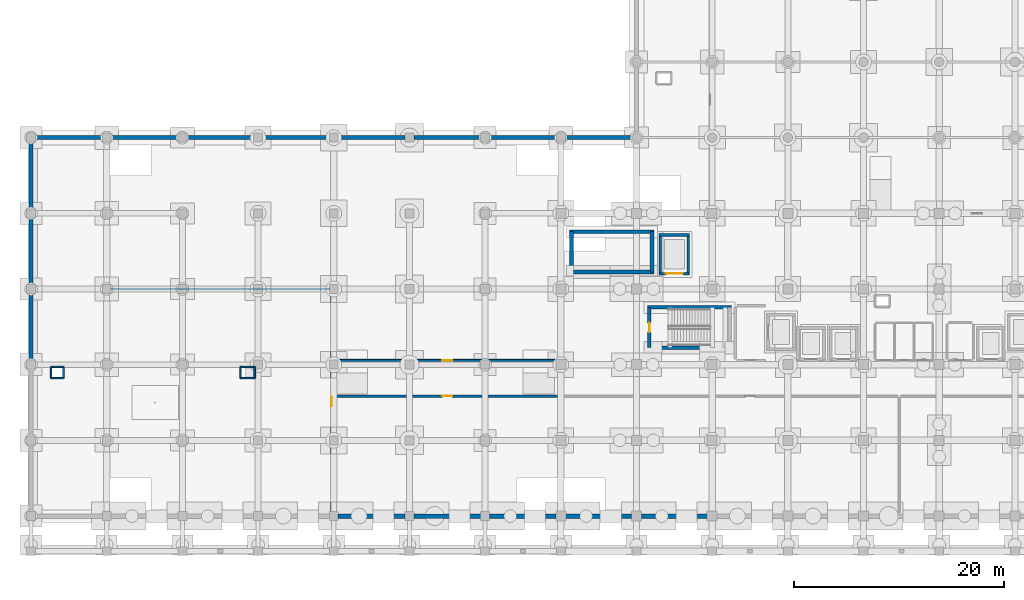
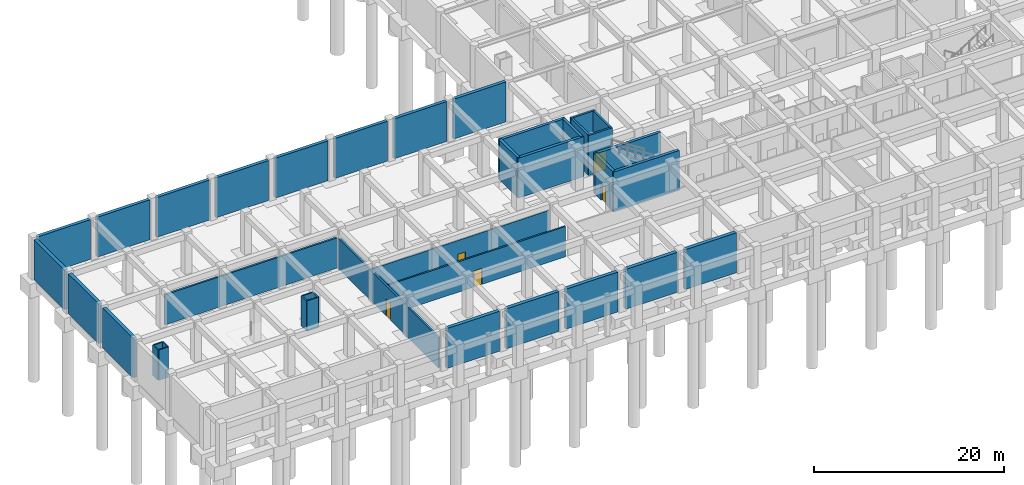
# One storey, part 13 of 26: 39 walls, 5 doors, 5 openings.
"""IFC4 building model written with IfcOpenShell, lengths in metres."""

from ifc_helpers import new_model, si_unit, direction, frame, frame_2d, origin, place, context, subcontext, project, spatial, rectangle, extrude, material, layer, layer_set, type_object, element, fill, save


model = new_model("IFC4")

# Units and contexts
model_context = context("Model", 3, precision=1e-05, world=origin(), true_north=direction((0.0, 1.0)))
body_context = subcontext(model_context, "Body", "Model", "MODEL_VIEW")
ifc_project = project(units=[si_unit("LENGTHUNIT", "METRE"), si_unit("AREAUNIT", "SQUARE_METRE"), si_unit("VOLUMEUNIT", "CUBIC_METRE"), si_unit("PLANEANGLEUNIT", "RADIAN"), si_unit("MASSUNIT", "GRAM", prefix="KILO")], contexts=[model_context])

# Site, building, storey
site_placement = place(None, origin())
site = spatial("IfcSite", under=ifc_project, at=site_placement, CompositionType="ELEMENT")
building_placement = place(site_placement, origin())
building = spatial("IfcBuilding", under=site, at=building_placement, Name="Kazehaya Institute of Natural Sciences", CompositionType="ELEMENT")
storey_placement = place(building_placement, frame((0.0, 0.0, -5.39990234375)))
storey = spatial("IfcBuildingStorey", under=building, at=storey_placement, Name="B1", CompositionType="ELEMENT", Elevation=-5.39990234375)

# Walls
ifc_material_1 = material(Name="Concrete Fc42", Category="concrete")
ifc_layer_1 = layer(ifc_material_1, 0.35009765625, Name="Concrete Fc42", Category="concrete")
ifc_layer_set_1 = layer_set([ifc_layer_1], Name="Concrete Fc42")
wall_type_1 = type_object("IfcWallType", Name="WL-CORE-350", PredefinedType="SHEAR", material=ifc_layer_set_1)
for number, where, z_axis, x_axis, name in (
    (1, (70.85498046875, 22.820068359375, 0.0), (0.0, 0.0, 1.0), (-1.0, 0.0, 0.0), "B1 ST-1 core wall S"),
    (2, (62.844970703125, 26.659912109375, 0.0), (0.0, 0.0, 1.0), (1.0, 0.0, 0.0), "B1 ST-1 core wall N"),
):
    element("IfcWall", number, at=place(storey_placement, frame(where, z_axis=z_axis, x_axis=x_axis)), inside=storey, type_object=wall_type_1, Name=name, PredefinedType="SHEAR", context=body_context, shape_type="SweptSolid", body=[
        extrude(rectangle(XDim=8.010009765625, YDim=0.35009765625, at=frame_2d((4.0048828125, 0.0))), origin(), (0.0, 0.0, 1.0), 5.119873046875),
    ])

# Wall, opening, door
wall_1_placement = place(storey_placement, frame((63.02001953125, 22.820068359375, 0.0), z_axis=(0.0, 0.0, 1.0), x_axis=(0.0, 1.0, 0.0)))
wall_1 = element("IfcWall", 3, at=wall_1_placement, inside=storey, type_object=wall_type_1, Name="B1 ST-1 core wall W", PredefinedType="SHEAR", context=body_context, shape_type="SweptSolid", body=[
    extrude(rectangle(XDim=3.83984375, YDim=0.35009765625, at=frame_2d((1.919921875, 0.0))), origin(), (0.0, 0.0, 1.0), 5.119873046875),
])
opening_1_placement = place(wall_1_placement, frame((1.469970703125, 0.0, 0.0)))
opening_1 = element("IfcOpeningElement", 4, at=opening_1_placement, cuts=wall_1, Name="Opening D-ST-001", PredefinedType="OPENING", context=body_context, shape_type="SweptSolid", body=[
    extrude(rectangle(XDim=0.89990234375, YDim=2.1201171875, at=frame_2d((0.449951171875, 1.06005859375))), frame((0.0, 0.18505859375, 0.0), z_axis=(0.0, -1.0, 0.0), x_axis=(1.0, 0.0, 0.0)), (0.0, 0.0, 1.0), 0.3701171875),
])
ifc_material_2 = material(Name="Fire-rated steel acoustic door", Category="steel")
door_type_1 = type_object("IfcDoorType", Name="DT-FD-02", OperationType="NOTDEFINED", PredefinedType="DOOR", material=ifc_material_2)
door_1_placement = place(opening_1_placement, origin())
door_1 = element("IfcDoor", 5, at=door_1_placement, inside=storey, type_object=door_type_1, Name="B1 ST-1 stair enclosure door D-ST-001", OperationType="SINGLE_SWING_LEFT", OverallHeight=2.1201171875, OverallWidth=0.89990234375, PredefinedType="DOOR", context=body_context, shape_type="SweptSolid", body=[
    extrude(rectangle(XDim=0.89990234375, YDim=2.1201171875, at=frame_2d((0.449951171875, 1.06005859375))), frame((0.0, 0.02490234375, 0.0), z_axis=(0.0, -1.0, 0.0), x_axis=(1.0, 0.0, 0.0)), (0.0, 0.0, 1.0), 0.050048828125),
])
fill(opening_1, door_1)

# Walls
for number, where, z_axis, x_axis, name in (
    (6, (63.455078125, 30.02001953125, 0.0), (0.0, 0.0, 1.0), (-1.0, 0.0, 0.0), "B1 ST-4 core wall S"),
    (7, (55.445068359375, 33.860107421875, 0.0), (0.0, 0.0, 1.0), (1.0, 0.0, 0.0), "B1 ST-4 core wall N"),
):
    element("IfcWall", number, at=place(storey_placement, frame(where, z_axis=z_axis, x_axis=x_axis)), inside=storey, type_object=wall_type_1, Name=name, PredefinedType="SHEAR", context=body_context, shape_type="SweptSolid", body=[
        extrude(rectangle(XDim=8.010009765625, YDim=0.35009765625, at=frame_2d((4.0048828125, 0.0))), origin(), (0.0, 0.0, 1.0), 5.119873046875),
    ])
for number, where, z_axis, x_axis, name in (
    (8, (55.6201171875, 30.02001953125, 0.0), (0.0, 0.0, 1.0), (0.0, 1.0, 0.0), "B1 ST-4 core wall W"),
    (9, (63.280029296875, 33.860107421875, 0.0), (0.0, 0.0, 1.0), (0.0, -1.0, 0.0), "B1 ST-4 core wall E"),
):
    element("IfcWall", number, at=place(storey_placement, frame(where, z_axis=z_axis, x_axis=x_axis)), inside=storey, type_object=wall_type_1, Name=name, PredefinedType="SHEAR", context=body_context, shape_type="SweptSolid", body=[
        extrude(rectangle(XDim=3.840087890625, YDim=0.35009765625, at=frame_2d((1.919921875, 0.0))), origin(), (0.0, 0.0, 1.0), 5.119873046875),
    ])

# Wall, opening, door
ifc_material_3 = material(Name="Gypsum acoustic lab partition", Category="gypsum")
ifc_layer_2 = layer(ifc_material_3, 0.18994140625, Name="Gypsum acoustic lab partition", Category="gypsum")
ifc_layer_set_2 = layer_set([ifc_layer_2], Name="Gypsum acoustic lab partition")
wall_type_2 = type_object("IfcWallType", Name="WL-PART-190", PredefinedType="PARTITIONING", material=ifc_layer_set_2)
wall_2_placement = place(storey_placement, frame((54.449951171875, 21.60009765625, 0.0), z_axis=(0.0, 0.0, 1.0), x_axis=(-1.0, 0.0, 0.0)))
wall_2 = element("IfcWall", 10, at=wall_2_placement, inside=storey, type_object=wall_type_2, Name="B1 Bicycle Parking Store partition IW-B1-0024", PredefinedType="PARTITIONING", context=body_context, shape_type="SweptSolid", body=[
    extrude(rectangle(XDim=21.5, YDim=0.18994140625, at=frame_2d((10.75, 0.0))), origin(), (0.0, 0.0, 1.0), 3.8798828125),
])
opening_2_placement = place(wall_2_placement, frame((10.179931640625, 0.0, 0.0)))
opening_2 = element("IfcOpeningElement", 11, at=opening_2_placement, cuts=wall_2, Name="Opening D-B1-0046", PredefinedType="OPENING", context=body_context, shape_type="SweptSolid", body=[
    extrude(rectangle(XDim=0.93994140625, YDim=2.1201171875, at=frame_2d((0.469970703125, 1.06005859375))), frame((0.0, 0.10498046875, 0.0), z_axis=(0.0, -1.0, 0.0), x_axis=(1.0, 0.0, 0.0)), (0.0, 0.0, 1.0), 0.2099609375),
])
door_type_2 = type_object("IfcDoorType", Name="DT-FD-05", OperationType="NOTDEFINED", PredefinedType="DOOR", material=ifc_material_2)
door_2_placement = place(opening_2_placement, origin())
door_2 = element("IfcDoor", 12, at=door_2_placement, inside=storey, type_object=door_type_2, Name="B1 Bicycle Parking Store door D-B1-0046", OperationType="SINGLE_SWING_RIGHT", OverallHeight=2.1201171875, OverallWidth=0.93994140625, PredefinedType="DOOR", context=body_context, shape_type="SweptSolid", body=[
    extrude(rectangle(XDim=0.93994140625, YDim=2.1201171875, at=frame_2d((0.469970703125, 1.06005859375))), frame((0.0, 0.02490234375, 0.0), z_axis=(0.0, -1.0, 0.0), x_axis=(1.0, 0.0, 0.0)), (0.0, 0.0, 1.0), 0.050048828125),
])
fill(opening_2, door_2)

ifc_material_4 = material(Name="Gypsum fire-rated partition", Category="gypsum")
ifc_layer_3 = layer(ifc_material_4, 0.199951171875, Name="Gypsum fire-rated partition", Category="gypsum")
ifc_layer_set_3 = layer_set([ifc_layer_3], Name="Gypsum fire-rated partition")
wall_type_3 = type_object("IfcWallType", Name="WL-PART-200", PredefinedType="PARTITIONING", material=ifc_layer_set_3)
wall_3_placement = place(storey_placement, frame((32.949951171875, 18.199951171875, 0.0), z_axis=(0.0, 0.0, 1.0), x_axis=(1.0, 0.0, 0.0)))
wall_3 = element("IfcWall", 13, at=wall_3_placement, inside=storey, type_object=wall_type_3, Name="B1 Clean Room Sub-Fab Utility Hall partition IW-B1-0023", PredefinedType="PARTITIONING", context=body_context, shape_type="SweptSolid", body=[
    extrude(rectangle(XDim=21.5, YDim=0.199951171875, at=frame_2d((10.75, 0.0))), origin(), (0.0, 0.0, 1.0), 3.8798828125),
])
opening_3_placement = place(wall_3_placement, frame((10.3798828125, 0.0, 0.0)))
opening_3 = element("IfcOpeningElement", 14, at=opening_3_placement, cuts=wall_3, Name="Opening D-B1-0045", PredefinedType="OPENING", context=body_context, shape_type="SweptSolid", body=[
    extrude(rectangle(XDim=0.93994140625, YDim=2.06005859375, at=frame_2d((0.469970703125, 1.030029296875))), frame((0.0, 0.10986328125, 0.0), z_axis=(0.0, -1.0, 0.0), x_axis=(1.0, 0.0, 0.0)), (0.0, 0.0, 1.0), 0.219970703125),
])
door_type_3 = type_object("IfcDoorType", Name="DT-FD-04", OperationType="NOTDEFINED", PredefinedType="DOOR", material=ifc_material_2)
door_3_placement = place(opening_3_placement, origin())
door_3 = element("IfcDoor", 15, at=door_3_placement, inside=storey, type_object=door_type_3, Name="B1 Clean Room Sub-Fab Utility Hall door D-B1-0045", OperationType="SINGLE_SWING_LEFT", OverallHeight=2.06005859375, OverallWidth=0.93994140625, PredefinedType="DOOR", context=body_context, shape_type="SweptSolid", body=[
    extrude(rectangle(XDim=0.93994140625, YDim=2.06005859375, at=frame_2d((0.469970703125, 1.030029296875))), frame((0.0, 0.02490234375, 0.0), z_axis=(0.0, -1.0, 0.0), x_axis=(1.0, 0.0, 0.0)), (0.0, 0.0, 1.0), 0.050048828125),
])
fill(opening_3, door_3)

# Wall
ifc_layer_4 = layer(ifc_material_4, 0.219970703125, Name="Gypsum fire-rated partition", Category="gypsum")
ifc_layer_set_4 = layer_set([ifc_layer_4], Name="Gypsum fire-rated partition")
wall_type_4 = type_object("IfcWallType", Name="WL-PART-220", PredefinedType="PARTITIONING", material=ifc_layer_set_4)
wall_4_placement = place(storey_placement, frame((11.75, 28.39990234375, 0.0), z_axis=(0.0, 0.0, 1.0), x_axis=(1.0, 0.0, 0.0)))
element("IfcWall", 16, at=wall_4_placement, inside=storey, type_object=wall_type_4, Name="B1 Metrology Vault Laboratory partition IW-B1-0021", PredefinedType="PARTITIONING", context=body_context, shape_type="SweptSolid", body=[
    extrude(rectangle(XDim=20.89990234375, YDim=0.219970703125, at=frame_2d((10.449951171875, 0.0))), origin(), (0.0, 0.0, 1.0), 3.8798828125),
])

# Wall, opening, door
wall_5_placement = place(storey_placement, frame((32.800048828125, 28.25, 0.0), z_axis=(0.0, 0.0, 1.0), x_axis=(0.0, -1.0, 0.0)))
wall_5 = element("IfcWall", 17, at=wall_5_placement, inside=storey, type_object=wall_type_4, Name="B1 Metrology Vault Laboratory partition IW-B1-0022", PredefinedType="PARTITIONING", context=body_context, shape_type="SweptSolid", body=[
    extrude(rectangle(XDim=21.10009765625, YDim=0.219970703125, at=frame_2d((10.550048828125, 0.0))), origin(), (0.0, 0.0, 1.0), 3.8798828125),
])
opening_4_placement = place(wall_5_placement, frame((10.10009765625, 0.0, 0.0)))
opening_4 = element("IfcOpeningElement", 18, at=opening_4_placement, cuts=wall_5, Name="Opening D-B1-0044", PredefinedType="OPENING", context=body_context, shape_type="SweptSolid", body=[
    extrude(rectangle(XDim=0.89990234375, YDim=2.179931640625, at=frame_2d((0.449951171875, 1.08984375))), frame((0.0, 0.119873046875, 0.0), z_axis=(0.0, -1.0, 0.0), x_axis=(1.0, 0.0, 0.0)), (0.0, 0.0, 1.0), 0.239990234375),
])
door_type_4 = type_object("IfcDoorType", Name="DT-FD-03", OperationType="NOTDEFINED", PredefinedType="DOOR", material=ifc_material_2)
door_4_placement = place(opening_4_placement, origin())
door_4 = element("IfcDoor", 19, at=door_4_placement, inside=storey, type_object=door_type_4, Name="B1 Metrology Vault Laboratory door D-B1-0044", OperationType="SINGLE_SWING_RIGHT", OverallHeight=2.179931640625, OverallWidth=0.89990234375, PredefinedType="DOOR", context=body_context, shape_type="SweptSolid", body=[
    extrude(rectangle(XDim=0.89990234375, YDim=2.179931640625, at=frame_2d((0.449951171875, 1.08984375))), frame((0.0, 0.02490234375, 0.0), z_axis=(0.0, -1.0, 0.0), x_axis=(1.0, 0.0, 0.0)), (0.0, 0.0, 1.0), 0.050048828125),
])
fill(opening_4, door_4)

# Walls
ifc_layer_5 = layer(ifc_material_1, 0.389892578125, Name="Concrete Fc42", Category="concrete")
ifc_layer_set_5 = layer_set([ifc_layer_5], Name="Concrete Fc42")
wall_type_5 = type_object("IfcWallType", Name="WL-RET-390", PredefinedType="USERDEFINED", material=ifc_layer_set_5)
for number, where, z_axis, x_axis, name in (
    (20, (4.610107421875, 42.800048828125, 0.0), (0.0, 0.0, 1.0), (1.0, 0.0, 0.0), "B1 exterior wall EW-B1-0029"),
    (21, (11.81005859375, 42.800048828125, 0.0), (0.0, 0.0, 1.0), (1.0, 0.0, 0.0), "B1 exterior wall EW-B1-0030"),
    (22, (19.010009765625, 42.800048828125, 0.0), (0.0, 0.0, 1.0), (1.0, 0.0, 0.0), "B1 exterior wall EW-B1-0031"),
):
    element("IfcWall", number, at=place(storey_placement, frame(where, z_axis=z_axis, x_axis=x_axis)), inside=storey, type_object=wall_type_5, Name=name, ObjectType="RETAININGWALL", PredefinedType="USERDEFINED", context=body_context, shape_type="SweptSolid", body=[
        extrude(rectangle(XDim=6.3798828125, YDim=0.389892578125, at=frame_2d((3.18994140625, 0.0))), origin(), (0.0, 0.0, 1.0), 5.119873046875),
    ])
for number, where, z_axis, x_axis, name in (
    (23, (26.2099609375, 42.800048828125, 0.0), (0.0, 0.0, 1.0), (1.0, 0.0, 0.0), "B1 exterior wall EW-B1-0032"),
    (24, (33.409912109375, 42.800048828125, 0.0), (0.0, 0.0, 1.0), (1.0, 0.0, 0.0), "B1 exterior wall EW-B1-0033"),
):
    element("IfcWall", number, at=place(storey_placement, frame(where, z_axis=z_axis, x_axis=x_axis)), inside=storey, type_object=wall_type_5, Name=name, ObjectType="RETAININGWALL", PredefinedType="USERDEFINED", context=body_context, shape_type="SweptSolid", body=[
        extrude(rectangle(XDim=6.380126953125, YDim=0.389892578125, at=frame_2d((3.18994140625, 0.0))), origin(), (0.0, 0.0, 1.0), 5.119873046875),
    ])
for number, where, z_axis, x_axis, name in (
    (25, (40.610107421875, 42.800048828125, 0.0), (0.0, 0.0, 1.0), (1.0, 0.0, 0.0), "B1 exterior wall EW-B1-0034"),
    (26, (47.81005859375, 42.800048828125, 0.0), (0.0, 0.0, 1.0), (1.0, 0.0, 0.0), "B1 exterior wall EW-B1-0035"),
):
    element("IfcWall", number, at=place(storey_placement, frame(where, z_axis=z_axis, x_axis=x_axis)), inside=storey, type_object=wall_type_5, Name=name, ObjectType="RETAININGWALL", PredefinedType="USERDEFINED", context=body_context, shape_type="SweptSolid", body=[
        extrude(rectangle(XDim=6.3798828125, YDim=0.389892578125, at=frame_2d((3.18994140625, 0.0))), origin(), (0.0, 0.0, 1.0), 5.119873046875),
    ])
wall_6_placement = place(storey_placement, frame((55.010009765625, 42.800048828125, 0.0), z_axis=(0.0, 0.0, 1.0), x_axis=(1.0, 0.0, 0.0)))
element("IfcWall", 27, at=wall_6_placement, inside=storey, type_object=wall_type_5, Name="B1 exterior wall EW-B1-0036", ObjectType="RETAININGWALL", PredefinedType="USERDEFINED", context=body_context, shape_type="SweptSolid", body=[
    extrude(rectangle(XDim=6.35498046875, YDim=0.389892578125, at=frame_2d((3.177490234375, 0.0))), origin(), (0.0, 0.0, 1.0), 5.119873046875),
])
ifc_layer_6 = layer(ifc_material_1, 0.419921875, Name="Concrete Fc42", Category="concrete")
ifc_layer_set_6 = layer_set([ifc_layer_6], Name="Concrete Fc42")
wall_type_6 = type_object("IfcWallType", Name="WL-RET-420", PredefinedType="USERDEFINED", material=ifc_layer_set_6)
for number, where, z_axis, x_axis, name in (
    (28, (68.5400390625, 6.800048828125, 0.0), (0.0, 0.0, 1.0), (-1.0, 0.0, 0.0), "B1 exterior wall EW-B1-0015"),
    (29, (61.340087890625, 6.800048828125, 0.0), (0.0, 0.0, 1.0), (-1.0, 0.0, 0.0), "B1 exterior wall EW-B1-0016"),
):
    element("IfcWall", number, at=place(storey_placement, frame(where, z_axis=z_axis, x_axis=x_axis)), inside=storey, type_object=wall_type_6, Name=name, ObjectType="RETAININGWALL", PredefinedType="USERDEFINED", context=body_context, shape_type="SweptSolid", body=[
        extrude(rectangle(XDim=6.280029296875, YDim=0.419921875, at=frame_2d((3.14013671875, 0.0))), origin(), (0.0, 0.0, 1.0), 5.119873046875),
    ])
wall_7_placement = place(storey_placement, frame((54.139892578125, 6.800048828125, 0.0), z_axis=(0.0, 0.0, 1.0), x_axis=(-1.0, 0.0, 0.0)))
element("IfcWall", 30, at=wall_7_placement, inside=storey, type_object=wall_type_6, Name="B1 exterior wall EW-B1-0017", ObjectType="RETAININGWALL", PredefinedType="USERDEFINED", context=body_context, shape_type="SweptSolid", body=[
    extrude(rectangle(XDim=6.329833984375, YDim=0.419921875, at=frame_2d((3.1650390625, 0.0))), origin(), (0.0, 0.0, 1.0), 5.119873046875),
])
wall_8_placement = place(storey_placement, frame((46.989990234375, 6.800048828125, 0.0), z_axis=(0.0, 0.0, 1.0), x_axis=(-1.0, 0.0, 0.0)))
element("IfcWall", 31, at=wall_8_placement, inside=storey, type_object=wall_type_6, Name="B1 exterior wall EW-B1-0018", ObjectType="RETAININGWALL", PredefinedType="USERDEFINED", context=body_context, shape_type="SweptSolid", body=[
    extrude(rectangle(XDim=6.3798828125, YDim=0.419921875, at=frame_2d((3.18994140625, 0.0))), origin(), (0.0, 0.0, 1.0), 5.119873046875),
])
wall_9_placement = place(storey_placement, frame((39.7900390625, 6.800048828125, 0.0), z_axis=(0.0, 0.0, 1.0), x_axis=(-1.0, 0.0, 0.0)))
element("IfcWall", 32, at=wall_9_placement, inside=storey, type_object=wall_type_6, Name="B1 exterior wall EW-B1-0019", ObjectType="RETAININGWALL", PredefinedType="USERDEFINED", context=body_context, shape_type="SweptSolid", body=[
    extrude(rectangle(XDim=6.380126953125, YDim=0.419921875, at=frame_2d((3.18994140625, 0.0))), origin(), (0.0, 0.0, 1.0), 5.119873046875),
])
for number, where, z_axis, x_axis, name in (
    (33, (4.199951171875, 21.610107421875, 0.0), (0.0, 0.0, 1.0), (0.0, 1.0, 0.0), "B1 exterior wall EW-B1-0026"),
    (34, (4.199951171875, 28.81005859375, 0.0), (0.0, 0.0, 1.0), (0.0, 1.0, 0.0), "B1 exterior wall EW-B1-0027"),
    (35, (4.199951171875, 36.010009765625, 0.0), (0.0, 0.0, 1.0), (0.0, 1.0, 0.0), "B1 exterior wall EW-B1-0028"),
):
    element("IfcWall", number, at=place(storey_placement, frame(where, z_axis=z_axis, x_axis=x_axis)), inside=storey, type_object=wall_type_6, Name=name, ObjectType="RETAININGWALL", PredefinedType="USERDEFINED", context=body_context, shape_type="SweptSolid", body=[
        extrude(rectangle(XDim=6.3798828125, YDim=0.419921875, at=frame_2d((3.18994140625, 0.0))), origin(), (0.0, 0.0, 1.0), 5.119873046875),
    ])
ifc_material_5 = material(Name="Concrete Fc36", Category="concrete")
ifc_layer_7 = layer(ifc_material_5, 0.14990234375, Name="Concrete Fc36", Category="concrete")
ifc_layer_set_7 = layer_set([ifc_layer_7], Name="Concrete Fc36")
wall_type_7 = type_object("IfcWallType", Name="WL-RISER-150", PredefinedType="PARTITIONING", material=ifc_layer_set_7)
for number, where, z_axis, x_axis, name in (
    (36, (7.284912109375, 19.9150390625, 0.0), (0.0, 0.0, 1.0), (-1.0, 0.0, 0.0), "B1 fume exhaust riser shaft wall 1"),
    (37, (6.114990234375, 20.985107421875, 0.0), (0.0, 0.0, 1.0), (1.0, 0.0, 0.0), "B1 fume exhaust riser shaft wall 1"),
):
    element("IfcWall", number, at=place(storey_placement, frame(where, z_axis=z_axis, x_axis=x_axis)), inside=storey, type_object=wall_type_7, Name=name, PredefinedType="PARTITIONING", context=body_context, shape_type="SweptSolid", body=[
        extrude(rectangle(XDim=1.169921875, YDim=0.14990234375, at=frame_2d((0.5849609375, 0.0))), origin(), (0.0, 0.0, 1.0), 3.8798828125),
    ])
for number, where, z_axis, x_axis, name in (
    (38, (6.114990234375, 19.9150390625, 0.0), (0.0, 0.0, 1.0), (0.0, 1.0, 0.0), "B1 fume exhaust riser shaft wall 1"),
    (39, (7.284912109375, 20.985107421875, 0.0), (0.0, 0.0, 1.0), (0.0, -1.0, 0.0), "B1 fume exhaust riser shaft wall 1"),
):
    element("IfcWall", number, at=place(storey_placement, frame(where, z_axis=z_axis, x_axis=x_axis)), inside=storey, type_object=wall_type_7, Name=name, PredefinedType="PARTITIONING", context=body_context, shape_type="SweptSolid", body=[
        extrude(rectangle(XDim=1.070068359375, YDim=0.14990234375, at=frame_2d((0.53515625, 0.0))), origin(), (0.0, 0.0, 1.0), 3.8798828125),
    ])
for number, where, z_axis, x_axis, name in (
    (40, (25.485107421875, 19.9150390625, 0.0), (0.0, 0.0, 1.0), (-1.0, 0.0, 0.0), "B1 fume exhaust riser shaft wall 2"),
    (41, (24.114990234375, 20.985107421875, 0.0), (0.0, 0.0, 1.0), (1.0, 0.0, 0.0), "B1 fume exhaust riser shaft wall 2"),
):
    element("IfcWall", number, at=place(storey_placement, frame(where, z_axis=z_axis, x_axis=x_axis)), inside=storey, type_object=wall_type_7, Name=name, PredefinedType="PARTITIONING", context=body_context, shape_type="SweptSolid", body=[
        extrude(rectangle(XDim=1.3701171875, YDim=0.14990234375, at=frame_2d((0.68505859375, 0.0))), origin(), (0.0, 0.0, 1.0), 3.8798828125),
    ])
for number, where, z_axis, x_axis, name in (
    (42, (24.114990234375, 19.9150390625, 0.0), (0.0, 0.0, 1.0), (0.0, 1.0, 0.0), "B1 fume exhaust riser shaft wall 2"),
    (43, (25.485107421875, 20.985107421875, 0.0), (0.0, 0.0, 1.0), (0.0, -1.0, 0.0), "B1 fume exhaust riser shaft wall 2"),
):
    element("IfcWall", number, at=place(storey_placement, frame(where, z_axis=z_axis, x_axis=x_axis)), inside=storey, type_object=wall_type_7, Name=name, PredefinedType="PARTITIONING", context=body_context, shape_type="SweptSolid", body=[
        extrude(rectangle(XDim=1.070068359375, YDim=0.14990234375, at=frame_2d((0.53515625, 0.0))), origin(), (0.0, 0.0, 1.0), 3.8798828125),
    ])

# Wall, opening, door
ifc_layer_8 = layer(ifc_material_1, 0.25, Name="Concrete Fc42", Category="concrete")
ifc_layer_set_8 = layer_set([ifc_layer_8], Name="Concrete Fc42")
wall_type_8 = type_object("IfcWallType", Name="WL-SHAFT-250", PredefinedType="SHEAR", material=ifc_layer_set_8)
wall_10_placement = place(storey_placement, frame((66.860107421875, 29.864990234375, 0.0), z_axis=(0.0, 0.0, 1.0), x_axis=(-1.0, 0.0, 0.0)))
wall_10 = element("IfcWall", 44, at=wall_10_placement, inside=storey, type_object=wall_type_8, Name="B1 EL06 lift shaft wall south", PredefinedType="SHEAR", context=body_context, shape_type="SweptSolid", body=[
    extrude(rectangle(XDim=2.920166015625, YDim=0.25, at=frame_2d((1.4599609375, 0.0))), origin(), (0.0, 0.0, 1.0), 5.119873046875),
])
opening_5_placement = place(wall_10_placement, frame((0.659912109375, 0.0, 0.0)))
opening_5 = element("IfcOpeningElement", 45, at=opening_5_placement, cuts=wall_10, Name="Opening LD-72", PredefinedType="OPENING", context=body_context, shape_type="SweptSolid", body=[
    extrude(rectangle(XDim=1.60009765625, YDim=2.39990234375, at=frame_2d((0.800048828125, 1.199951171875))), frame((0.0, 0.135009765625, 0.0), z_axis=(0.0, -1.0, 0.0), x_axis=(1.0, 0.0, 0.0)), (0.0, 0.0, 1.0), 0.27001953125),
])
ifc_material_6 = material(Name="Heavy-duty goods lift sliding landing door")
door_type_5 = type_object("IfcDoorType", Name="DT-LD-1600x2400", OperationType="SLIDING_TO_LEFT", PredefinedType="DOOR", material=ifc_material_6)
door_5_placement = place(opening_5_placement, origin())
door_5 = element("IfcDoor", 46, at=door_5_placement, inside=storey, type_object=door_type_5, Name="B1 EL06 sliding landing door LD-72", OperationType="SLIDING_TO_LEFT", OverallHeight=2.39990234375, OverallWidth=1.60009765625, PredefinedType="DOOR", context=body_context, shape_type="SweptSolid", body=[
    extrude(rectangle(XDim=1.60009765625, YDim=2.39990234375, at=frame_2d((0.800048828125, 1.199951171875))), frame((0.0, 0.02490234375, 0.0), z_axis=(0.0, -1.0, 0.0), x_axis=(1.0, 0.0, 0.0)), (0.0, 0.0, 1.0), 0.050048828125),
])
fill(opening_5, door_5)

# Walls
wall_11_placement = place(storey_placement, frame((63.93994140625, 33.534912109375, 0.0), z_axis=(0.0, 0.0, 1.0), x_axis=(1.0, 0.0, 0.0)))
element("IfcWall", 47, at=wall_11_placement, inside=storey, type_object=wall_type_8, Name="B1 EL06 lift shaft wall north", PredefinedType="SHEAR", context=body_context, shape_type="SweptSolid", body=[
    extrude(rectangle(XDim=2.920166015625, YDim=0.25, at=frame_2d((1.4599609375, 0.0))), origin(), (0.0, 0.0, 1.0), 5.119873046875),
])
for number, where, z_axis, x_axis, name in (
    (48, (64.06494140625, 29.864990234375, 0.0), (0.0, 0.0, 1.0), (0.0, 1.0, 0.0), "B1 EL06 lift shaft wall west"),
    (49, (66.735107421875, 33.534912109375, 0.0), (0.0, 0.0, 1.0), (0.0, -1.0, 0.0), "B1 EL06 lift shaft wall east"),
):
    element("IfcWall", number, at=place(storey_placement, frame(where, z_axis=z_axis, x_axis=x_axis)), inside=storey, type_object=wall_type_8, Name=name, PredefinedType="SHEAR", context=body_context, shape_type="SweptSolid", body=[
        extrude(rectangle(XDim=3.669921875, YDim=0.25, at=frame_2d((1.8349609375, 0.0))), origin(), (0.0, 0.0, 1.0), 5.119873046875),
    ])

save(model, "model.ifc")
